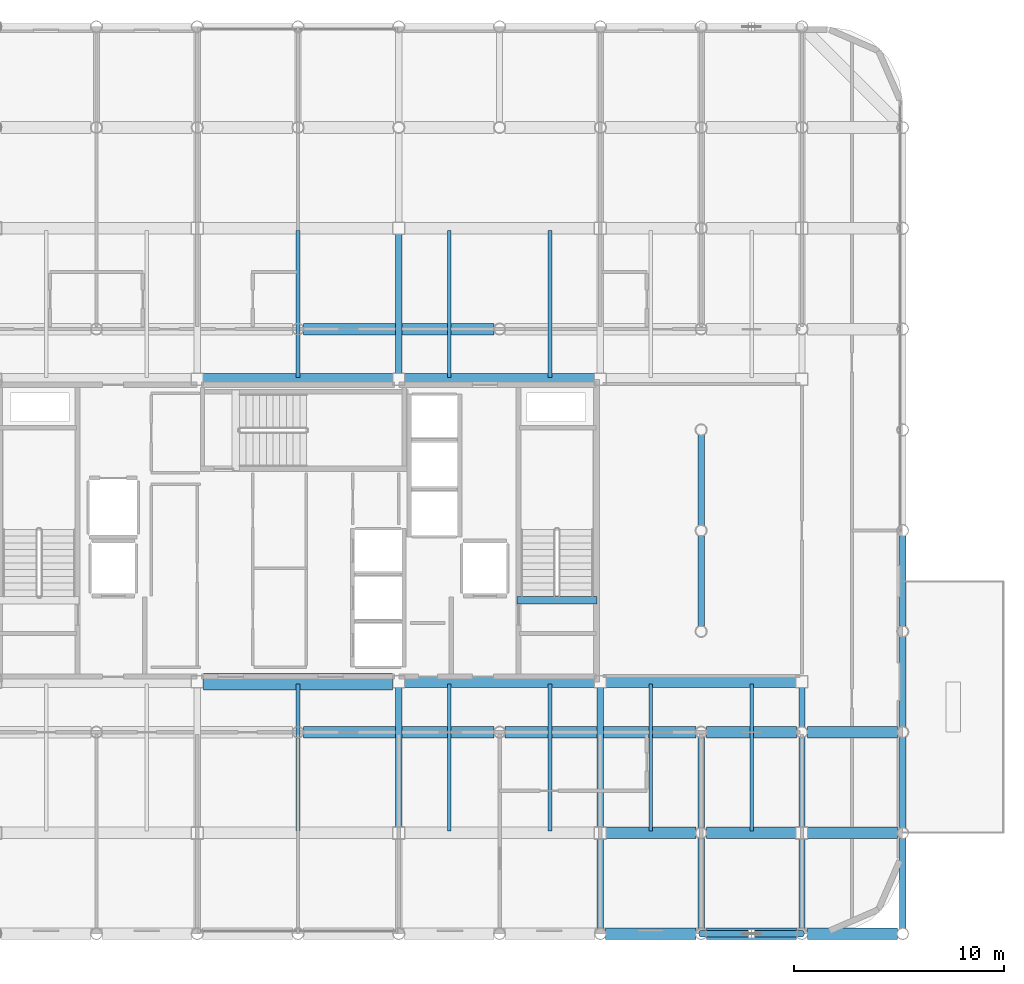
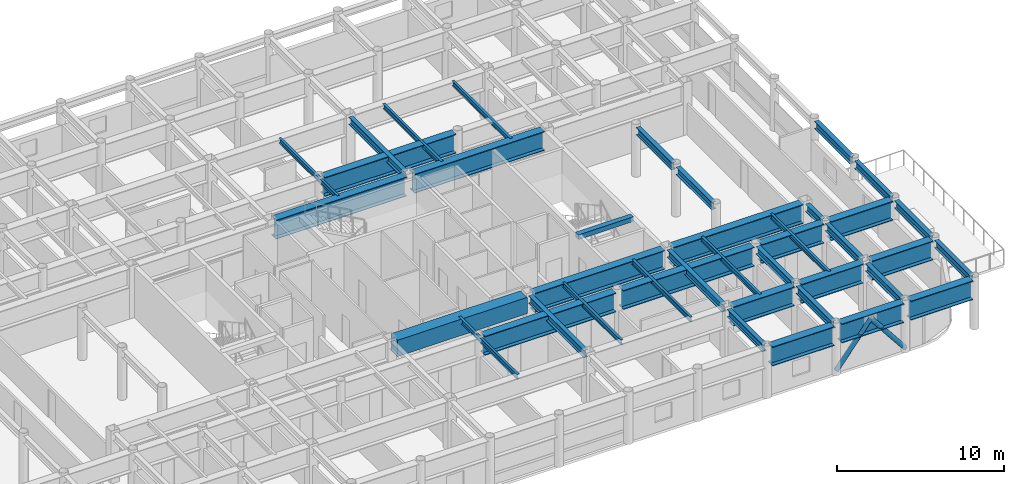
# One storey, part 9 of 25: 40 beams, 2 members.
"""IFC4 building model written with IfcOpenShell, lengths in metres."""

from ifc_helpers import new_model, si_unit, direction, frame, origin, origin_2d, place, context, subcontext, project, spatial, rectangle, hollow_circle, i_section, extrude, material, material_profile, profile_set, type_object, element, save


model = new_model("IFC4")

# Units and contexts
model_context = context("Model", 3, precision=1e-05, world=origin(), true_north=direction((0.0, 1.0)))
body_context = subcontext(model_context, "Body", "Model", "MODEL_VIEW")
ifc_project = project(units=[si_unit("LENGTHUNIT", "METRE"), si_unit("AREAUNIT", "SQUARE_METRE"), si_unit("VOLUMEUNIT", "CUBIC_METRE"), si_unit("PLANEANGLEUNIT", "RADIAN"), si_unit("MASSUNIT", "GRAM", prefix="KILO")], contexts=[model_context])

# Site, building, storey
site_placement = place(None, origin())
site = spatial("IfcSite", under=ifc_project, at=site_placement, CompositionType="ELEMENT")
building_placement = place(site_placement, origin())
building = spatial("IfcBuilding", under=site, at=building_placement, Name="Kallvorn Hotel Tower", CompositionType="ELEMENT")
storey_placement = place(building_placement, frame((0.0, 0.0, 249.25)))
storey = spatial("IfcBuildingStorey", under=building, at=storey_placement, Name="L62", CompositionType="ELEMENT", Elevation=249.25)

# Beams
ifc_material_1 = material(Name="Structural steel S355JR", Category="steel")
ifc_material_profile_1 = material_profile(ifc_material_1, i_section(OverallWidth=0.300048828125, OverallDepth=0.550048828125, WebThickness=0.014892578125, FlangeThickness=0.029052734375, at=origin_2d()), Name="HE 550 B")
ifc_profile_set_1 = profile_set([ifc_material_profile_1], Name="Structural steel S355JR")
beam_type_1 = type_object("IfcBeamType", Name="BM_HE550B", PredefinedType="SPANDREL", material=ifc_profile_set_1)
for number, where, z_axis, x_axis, name in (
    (1, (4.800048828125, -14.125, 3.39501953125), (0.0, 1.0, 0.0), (-1.0, 0.0, 0.0), "L63 Primary Y-Girder 115"),
    (2, (4.800048828125, 7.47509765625, 3.39501953125), (0.0, 1.0, 0.0), (-1.0, 0.0, 0.0), "L63 Primary Y-Girder 116"),
):
    element("IfcBeam", number, at=place(storey_placement, frame(where, z_axis=z_axis, x_axis=x_axis)), inside=storey, type_object=beam_type_1, Name=name, PredefinedType="SPANDREL", context=body_context, shape_type="SweptSolid", body=[
        extrude(i_section(OverallWidth=0.300048828125, OverallDepth=0.550048828125, WebThickness=0.014892578125, FlangeThickness=0.029052734375, at=origin_2d()), origin(), (0.0, 0.0, 1.0), 6.64990234375),
    ])
beam_1_placement = place(storey_placement, frame((14.39990234375, -18.945556640625, 3.39501953125), z_axis=(0.0, 1.0, 0.0), x_axis=(-1.0, 0.0, 0.0)))
element("IfcBeam", 3, at=beam_1_placement, inside=storey, type_object=beam_type_1, Name="L63 Primary Y-Girder 122", PredefinedType="SPANDREL", context=body_context, shape_type="SweptSolid", body=[
    extrude(i_section(OverallWidth=0.300048828125, OverallDepth=0.550048828125, WebThickness=0.014892578125, FlangeThickness=0.029052734375, at=origin_2d()), origin(), (0.0, 0.0, 1.0), 4.2705078125),
])
beam_2_placement = place(storey_placement, frame((14.39990234375, -14.125, 3.39501953125), z_axis=(0.0, 1.0, 0.0), x_axis=(-1.0, 0.0, 0.0)))
element("IfcBeam", 4, at=beam_2_placement, inside=storey, type_object=beam_type_1, Name="L63 Primary Y-Girder 123", PredefinedType="SPANDREL", context=body_context, shape_type="SweptSolid", body=[
    extrude(i_section(OverallWidth=0.300048828125, OverallDepth=0.550048828125, WebThickness=0.014892578125, FlangeThickness=0.029052734375, at=origin_2d()), origin(), (0.0, 0.0, 1.0), 6.64990234375),
])
for number, where, z_axis, x_axis, name in (
    (5, (19.199951171875, -18.945556640625, 3.39501953125), (0.0, 1.0, 0.0), (-1.0, 0.0, 0.0), "L63 Primary Y-Girder 127"),
    (6, (19.199951171875, -14.1455078125, 3.39501953125), (0.0, 1.0, 0.0), (-1.0, 0.0, 0.0), "L63 Primary Y-Girder 128"),
    (7, (19.199951171875, -4.54541015625, 3.39501953125), (0.0, 1.0, 0.0), (-1.0, 0.0, 0.0), "L63 Primary Y-Girder 130"),
    (8, (19.199951171875, 0.25439453125, 3.39501953125), (0.0, 1.0, 0.0), (-1.0, 0.0, 0.0), "L63 Primary Y-Girder 131"),
):
    element("IfcBeam", number, at=place(storey_placement, frame(where, z_axis=z_axis, x_axis=x_axis)), inside=storey, type_object=beam_type_1, Name=name, PredefinedType="SPANDREL", context=body_context, shape_type="SweptSolid", body=[
        extrude(i_section(OverallWidth=0.300048828125, OverallDepth=0.550048828125, WebThickness=0.014892578125, FlangeThickness=0.029052734375, at=origin_2d()), origin(), (0.0, 0.0, 1.0), 4.291015625),
    ])
for number, where, z_axis, x_axis, name in (
    (9, (24.0, -18.945556640625, 3.39501953125), (0.0, 1.0, 0.0), (-1.0, 0.0, 0.0), "L63 Primary Y-Girder 136"),
    (10, (24.0, -14.125, 3.39501953125), (0.0, 1.0, 0.0), (-1.0, 0.0, 0.0), "L63 Primary Y-Girder 137"),
):
    element("IfcBeam", number, at=place(storey_placement, frame(where, z_axis=z_axis, x_axis=x_axis)), inside=storey, type_object=beam_type_1, Name=name, PredefinedType="SPANDREL", context=body_context, shape_type="SweptSolid", body=[
        extrude(i_section(OverallWidth=0.300048828125, OverallDepth=0.550048828125, WebThickness=0.014892578125, FlangeThickness=0.029052734375, at=origin_2d()), origin(), (0.0, 0.0, 1.0), 4.2705078125),
    ])
beam_3_placement = place(storey_placement, frame((24.0, -9.345458984375, 3.39501953125), z_axis=(0.0, 1.0, 0.0), x_axis=(-1.0, 0.0, 0.0)))
element("IfcBeam", 11, at=beam_3_placement, inside=storey, type_object=beam_type_1, Name="L63 Primary Y-Girder 138", PredefinedType="SPANDREL", context=body_context, shape_type="SweptSolid", body=[
    extrude(i_section(OverallWidth=0.300048828125, OverallDepth=0.550048828125, WebThickness=0.014892578125, FlangeThickness=0.029052734375, at=origin_2d()), origin(), (0.0, 0.0, 1.0), 1.870361328125),
])
for number, where, z_axis, x_axis, name in (
    (12, (28.800048828125, -18.945556640625, 3.39501953125), (0.0, 1.0, 0.0), (-1.0, 0.0, 0.0), "L63 Primary Y-Girder 143"),
    (13, (28.800048828125, -14.1455078125, 3.39501953125), (0.0, 1.0, 0.0), (-1.0, 0.0, 0.0), "L63 Primary Y-Girder 144"),
    (14, (28.800048828125, -9.345458984375, 3.39501953125), (0.0, 1.0, 0.0), (-1.0, 0.0, 0.0), "L63 Primary Y-Girder 145"),
    (15, (28.800048828125, -4.54541015625, 3.39501953125), (0.0, 1.0, 0.0), (-1.0, 0.0, 0.0), "L63 Primary Y-Girder 146"),
):
    element("IfcBeam", number, at=place(storey_placement, frame(where, z_axis=z_axis, x_axis=x_axis)), inside=storey, type_object=beam_type_1, Name=name, PredefinedType="SPANDREL", context=body_context, shape_type="SweptSolid", body=[
        extrude(i_section(OverallWidth=0.300048828125, OverallDepth=0.550048828125, WebThickness=0.014892578125, FlangeThickness=0.029052734375, at=origin_2d()), origin(), (0.0, 0.0, 1.0), 4.291015625),
    ])
ifc_material_2 = material(Name="Structural steel S355JR", Category="steel")
ifc_material_profile_2 = material_profile(ifc_material_2, i_section(OverallWidth=0.169921875, OverallDepth=0.360107421875, WebThickness=0.008056640625, FlangeThickness=0.0126953125, at=origin_2d()), Name="IPE 360")
ifc_profile_set_2 = profile_set([ifc_material_profile_2], Name="Structural steel S355JR")
beam_type_2 = type_object("IfcBeamType", Name="BM_IPE360", PredefinedType="JOIST", material=ifc_profile_set_2)
for number, where, z_axis, x_axis, name in (
    (16, (0.0, -14.300048828125, 3.489990234375), (0.0, 1.0, 0.0), (-1.0, 0.0, 0.0), "L63 Secondary Composite Joist 200"),
    (17, (0.0, 7.300048828125, 3.489990234375), (0.0, 1.0, 0.0), (-1.0, 0.0, 0.0), "L63 Secondary Composite Joist 201"),
    (18, (7.199951171875, -14.300048828125, 3.489990234375), (0.0, 1.0, 0.0), (-1.0, 0.0, 0.0), "L63 Secondary Composite Joist 202"),
    (19, (7.199951171875, 7.300048828125, 3.489990234375), (0.0, 1.0, 0.0), (-1.0, 0.0, 0.0), "L63 Secondary Composite Joist 203"),
    (20, (12.0, -14.300048828125, 3.489990234375), (0.0, 1.0, 0.0), (-1.0, 0.0, 0.0), "L63 Secondary Composite Joist 204"),
    (21, (12.0, 7.300048828125, 3.489990234375), (0.0, 1.0, 0.0), (-1.0, 0.0, 0.0), "L63 Secondary Composite Joist 205"),
    (22, (16.800048828125, -14.300048828125, 3.489990234375), (0.0, 1.0, 0.0), (-1.0, 0.0, 0.0), "L63 Secondary Composite Joist 206"),
    (23, (21.60009765625, -14.300048828125, 3.489990234375), (0.0, 1.0, 0.0), (-1.0, 0.0, 0.0), "L63 Secondary Composite Joist 208"),
):
    element("IfcBeam", number, at=place(storey_placement, frame(where, z_axis=z_axis, x_axis=x_axis)), inside=storey, type_object=beam_type_2, Name=name, PredefinedType="JOIST", context=body_context, shape_type="SweptSolid", body=[
        extrude(i_section(OverallWidth=0.169921875, OverallDepth=0.360107421875, WebThickness=0.008056640625, FlangeThickness=0.0126953125, at=origin_2d()), origin(), (0.0, 0.0, 1.0), 7.0),
    ])
ifc_material_3 = material(Name="Structural steel S355JR", Category="steel")
ifc_material_profile_3 = material_profile(ifc_material_3, i_section(OverallWidth=0.550048828125, OverallDepth=1.39990234375, WebThickness=0.02490234375, FlangeThickness=0.044921875, at=origin_2d()), Name="PG 1400x550x25x45")
ifc_profile_set_3 = profile_set([ifc_material_profile_3], Name="Structural steel S355JR")
beam_type_3 = type_object("IfcBeamType", Name="BM_PG_1400", PredefinedType="BEAM", material=ifc_profile_set_3)
for number, where, z_axis, x_axis, name in (
    (24, (14.654541015625, -19.199951171875, 2.969970703125), (1.0, 0.0, 0.0), (0.0, 1.0, 0.0), "L63 Primary X-Girder 10"),
    (25, (19.45458984375, -19.199951171875, 2.969970703125), (1.0, 0.0, 0.0), (0.0, 1.0, 0.0), "L63 Primary X-Girder 11"),
    (26, (24.25439453125, -19.199951171875, 2.969970703125), (1.0, 0.0, 0.0), (0.0, 1.0, 0.0), "L63 Primary X-Girder 12"),
):
    element("IfcBeam", number, at=place(storey_placement, frame(where, z_axis=z_axis, x_axis=x_axis)), inside=storey, type_object=beam_type_3, Name=name, PredefinedType="BEAM", context=body_context, shape_type="SweptSolid", body=[
        extrude(i_section(OverallWidth=0.550048828125, OverallDepth=1.39990234375, WebThickness=0.02490234375, FlangeThickness=0.044921875, at=origin_2d()), origin(), (0.0, 0.0, 1.0), 4.291015625),
    ])
for number, where, z_axis, x_axis, name in (
    (27, (14.675048828125, -14.39990234375, 2.969970703125), (1.0, 0.0, 0.0), (0.0, 1.0, 0.0), "L63 Primary X-Girder 20"),
    (28, (19.45458984375, -14.39990234375, 2.969970703125), (1.0, 0.0, 0.0), (0.0, 1.0, 0.0), "L63 Primary X-Girder 21"),
    (29, (24.27490234375, -14.39990234375, 2.969970703125), (1.0, 0.0, 0.0), (0.0, 1.0, 0.0), "L63 Primary X-Girder 22"),
):
    element("IfcBeam", number, at=place(storey_placement, frame(where, z_axis=z_axis, x_axis=x_axis)), inside=storey, type_object=beam_type_3, Name=name, PredefinedType="BEAM", context=body_context, shape_type="SweptSolid", body=[
        extrude(i_section(OverallWidth=0.550048828125, OverallDepth=1.39990234375, WebThickness=0.02490234375, FlangeThickness=0.044921875, at=origin_2d()), origin(), (0.0, 0.0, 1.0), 4.2705078125),
    ])
for number, where, z_axis, x_axis, name in (
    (30, (0.25439453125, -9.60009765625, 2.969970703125), (1.0, 0.0, 0.0), (0.0, 1.0, 0.0), "L63 Primary X-Girder 28"),
    (31, (9.8544921875, -9.60009765625, 2.969970703125), (1.0, 0.0, 0.0), (0.0, 1.0, 0.0), "L63 Primary X-Girder 29"),
):
    element("IfcBeam", number, at=place(storey_placement, frame(where, z_axis=z_axis, x_axis=x_axis)), inside=storey, type_object=beam_type_3, Name=name, PredefinedType="BEAM", context=body_context, shape_type="SweptSolid", body=[
        extrude(i_section(OverallWidth=0.550048828125, OverallDepth=1.39990234375, WebThickness=0.02490234375, FlangeThickness=0.044921875, at=origin_2d()), origin(), (0.0, 0.0, 1.0), 9.091064453125),
    ])
for number, where, z_axis, x_axis, name in (
    (32, (19.45458984375, -9.60009765625, 2.969970703125), (1.0, 0.0, 0.0), (0.0, 1.0, 0.0), "L63 Primary X-Girder 30"),
    (33, (24.25439453125, -9.60009765625, 2.969970703125), (1.0, 0.0, 0.0), (0.0, 1.0, 0.0), "L63 Primary X-Girder 31"),
):
    element("IfcBeam", number, at=place(storey_placement, frame(where, z_axis=z_axis, x_axis=x_axis)), inside=storey, type_object=beam_type_3, Name=name, PredefinedType="BEAM", context=body_context, shape_type="SweptSolid", body=[
        extrude(i_section(OverallWidth=0.550048828125, OverallDepth=1.39990234375, WebThickness=0.02490234375, FlangeThickness=0.044921875, at=origin_2d()), origin(), (0.0, 0.0, 1.0), 4.291015625),
    ])
for number, where, z_axis, x_axis, name in (
    (34, (5.074951171875, -7.199951171875, 2.969970703125), (1.0, 0.0, 0.0), (0.0, 1.0, 0.0), "L63 Primary X-Girder 34"),
    (35, (14.675048828125, -7.199951171875, 2.969970703125), (1.0, 0.0, 0.0), (0.0, 1.0, 0.0), "L63 Primary X-Girder 35"),
):
    element("IfcBeam", number, at=place(storey_placement, frame(where, z_axis=z_axis, x_axis=x_axis)), inside=storey, type_object=beam_type_3, Name=name, PredefinedType="BEAM", context=body_context, shape_type="SweptSolid", body=[
        extrude(i_section(OverallWidth=0.550048828125, OverallDepth=1.39990234375, WebThickness=0.02490234375, FlangeThickness=0.044921875, at=origin_2d()), origin(), (0.0, 0.0, 1.0), 9.050048828125),
    ])
beam_4_placement = place(storey_placement, frame((-4.52490234375, 7.199951171875, 2.969970703125), z_axis=(1.0, 0.0, 0.0), x_axis=(0.0, 1.0, 0.0)))
element("IfcBeam", 36, at=beam_4_placement, inside=storey, type_object=beam_type_3, Name="L63 Primary X-Girder 38", PredefinedType="BEAM", context=body_context, shape_type="SweptSolid", body=[
    extrude(i_section(OverallWidth=0.550048828125, OverallDepth=1.39990234375, WebThickness=0.02490234375, FlangeThickness=0.044921875, at=origin_2d()), origin(), (0.0, 0.0, 1.0), 9.0498046875),
])
beam_5_placement = place(storey_placement, frame((5.074951171875, 7.199951171875, 2.969970703125), z_axis=(1.0, 0.0, 0.0), x_axis=(0.0, 1.0, 0.0)))
element("IfcBeam", 37, at=beam_5_placement, inside=storey, type_object=beam_type_3, Name="L63 Primary X-Girder 39", PredefinedType="BEAM", context=body_context, shape_type="SweptSolid", body=[
    extrude(i_section(OverallWidth=0.550048828125, OverallDepth=1.39990234375, WebThickness=0.02490234375, FlangeThickness=0.044921875, at=origin_2d()), origin(), (0.0, 0.0, 1.0), 9.050048828125),
])
beam_6_placement = place(storey_placement, frame((0.25439453125, 9.60009765625, 2.969970703125), z_axis=(1.0, 0.0, 0.0), x_axis=(0.0, 1.0, 0.0)))
element("IfcBeam", 38, at=beam_6_placement, inside=storey, type_object=beam_type_3, Name="L63 Primary X-Girder 46", PredefinedType="BEAM", context=body_context, shape_type="SweptSolid", body=[
    extrude(i_section(OverallWidth=0.550048828125, OverallDepth=1.39990234375, WebThickness=0.02490234375, FlangeThickness=0.044921875, at=origin_2d()), origin(), (0.0, 0.0, 1.0), 9.091064453125),
])
ifc_material_4 = material(Name="Concrete C50/60", Category="concrete")
ifc_material_profile_4 = material_profile(ifc_material_4, rectangle(XDim=0.360107421875, YDim=0.340087890625, at=origin_2d()), Name="RC 360x340")
ifc_profile_set_4 = profile_set([ifc_material_profile_4], Name="Concrete C50/60")
beam_type_4 = type_object("IfcBeamType", Name="BM_RC_400x360", PredefinedType="BEAM", material=ifc_profile_set_4)
beam_7_placement = place(storey_placement, frame((14.239990234375, -3.31005859375, 3.5), z_axis=(-1.0, 0.0, 0.0), x_axis=(0.0, -1.0, 0.0)))
element("IfcBeam", 39, at=beam_7_placement, inside=storey, type_object=beam_type_4, Name="L63 Stair ST2 Arrival Trimmer Beam", PredefinedType="BEAM", context=body_context, shape_type="SweptSolid", body=[
    extrude(rectangle(XDim=0.360107421875, YDim=0.340087890625, at=origin_2d()), origin(), (0.0, 0.0, 1.0), 3.820068359375),
])
ifc_material_5 = material(Name="Concrete C50/60", Category="concrete")
ifc_material_profile_5 = material_profile(ifc_material_5, rectangle(XDim=0.800048828125, YDim=1.199951171875, at=origin_2d()), Name="RC 800x1200")
ifc_profile_set_5 = profile_set([ifc_material_profile_5], Name="Concrete C50/60")
beam_type_5 = type_object("IfcBeamType", Name="BM_RC_800x1200", PredefinedType="T_BEAM", material=ifc_profile_set_5)
beam_8_placement = place(storey_placement, frame((-4.5, -7.199951171875, 3.070068359375), z_axis=(1.0, 0.0, 0.0), x_axis=(0.0, 1.0, 0.0)))
element("IfcBeam", 40, at=beam_8_placement, inside=storey, type_object=beam_type_5, Name="L62 Core Coupling Beam South", PredefinedType="T_BEAM", context=body_context, shape_type="SweptSolid", body=[
    extrude(rectangle(XDim=0.800048828125, YDim=1.199951171875, at=origin_2d()), origin(), (0.0, 0.0, 1.0), 9.0),
])

# Members
ifc_material_6 = material(Name="Structural steel S355J2H", Category="steel")
ifc_material_profile_6 = material_profile(ifc_material_6, hollow_circle(Radius=0.161865234375, WallThickness=0.012451171875, at=origin_2d()), Name="CHS 323.9x12.5")
ifc_profile_set_6 = profile_set([ifc_material_profile_6], Name="Structural steel S355J2H")
member_type = type_object("IfcMemberType", Name="MBR_EXO_CHS323", PredefinedType="BRACE", material=ifc_profile_set_6)
for number, where, z_axis, x_axis, name in (
    (41, (19.21240234375, -19.199951171875, 0.19580078125), (0.620928510901, 0.0, 0.783867198159), (0.0, 1.0, 0.0), "L62 Exoskeleton K-Brace S2A"),
    (42, (23.987548828125, -19.199951171875, 0.19580078125), (-0.620928510901, 0.0, 0.783867198159), (0.0, -1.0, 0.0), "L62 Exoskeleton K-Brace S2B"),
):
    element("IfcMember", number, at=place(storey_placement, frame(where, z_axis=z_axis, x_axis=x_axis)), inside=storey, type_object=member_type, Name=name, PredefinedType="BRACE", context=body_context, shape_type="SweptSolid", body=[
        extrude(hollow_circle(Radius=0.161865234375, WallThickness=0.012451171875, at=origin_2d()), origin(), (0.0, 0.0, 1.0), 3.8251953125),
    ])

save(model, "model.ifc")
